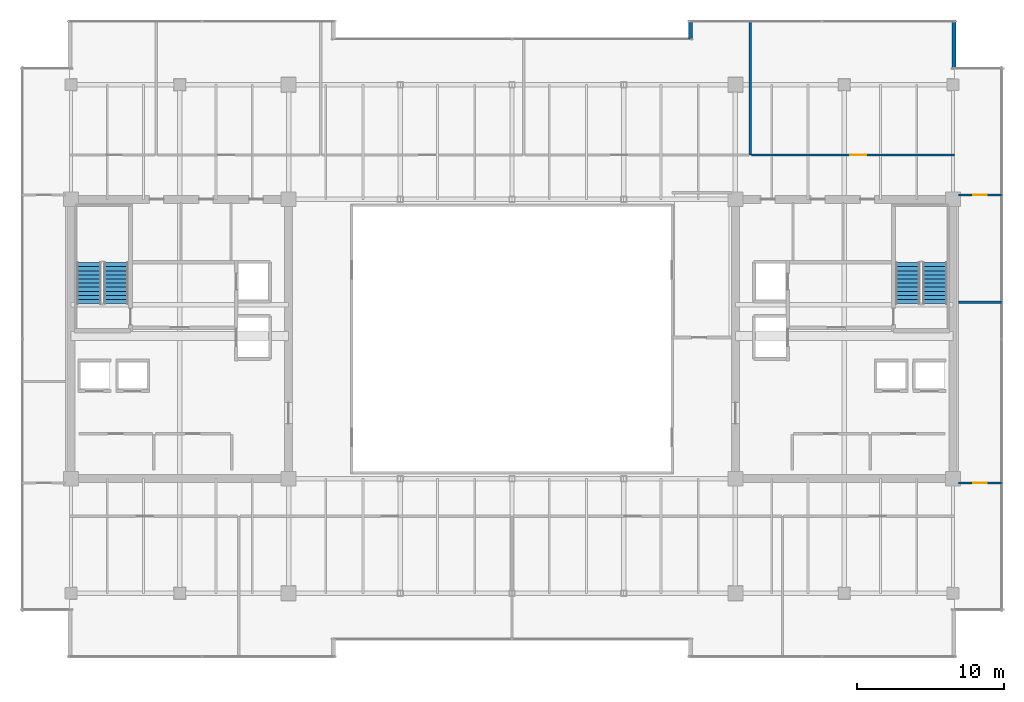
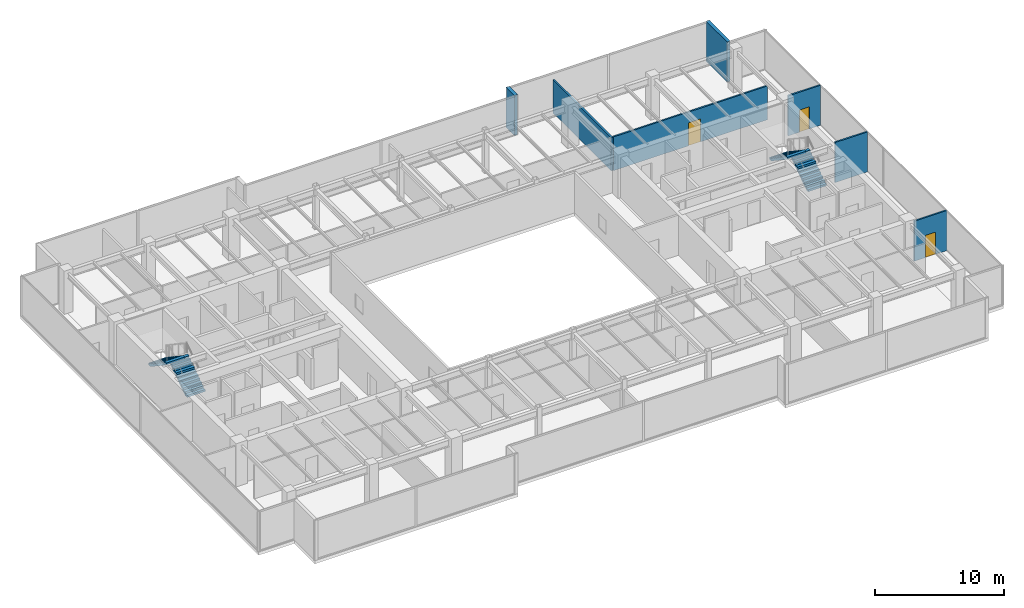
# One storey, part 31 of 36: 7 walls, 4 stair flights, 3 doors, 3 openings, 2 elements without a shape of their own.
"""IFC4 building model written with IfcOpenShell, lengths in metres."""

from ifc_helpers import new_model, si_unit, direction, frame, frame_2d, origin, place, context, subcontext, project, spatial, polyline, rectangle, outline, extrude, source, transform, mapped, material, layer, layer_set, type_object, type_shapes, element, fill, aggregate, save


model = new_model("IFC4")

# Units and contexts
model_context = context("Model", 3, precision=1e-05, world=origin(), true_north=direction((0.0, 1.0)))
body_context = subcontext(model_context, "Body", "Model", "MODEL_VIEW")
ifc_project = project(units=[si_unit("LENGTHUNIT", "METRE"), si_unit("AREAUNIT", "SQUARE_METRE"), si_unit("VOLUMEUNIT", "CUBIC_METRE"), si_unit("PLANEANGLEUNIT", "RADIAN"), si_unit("MASSUNIT", "GRAM", prefix="KILO")], contexts=[model_context])

# Site, building, storey
site_placement = place(None, origin())
site = spatial("IfcSite", under=ifc_project, at=site_placement, CompositionType="ELEMENT")
building_placement = place(site_placement, origin())
building = spatial("IfcBuilding", under=site, at=building_placement, Name="Haelvirn Gate Laboratories", CompositionType="ELEMENT")
storey_placement = place(building_placement, frame((0.0, 0.0, 254.699951171875)))
storey = spatial("IfcBuildingStorey", under=building, at=storey_placement, Name="L61", CompositionType="ELEMENT", Elevation=254.699951171875)

# Walls
ifc_material_1 = material(Name="Thermally-broken bronze aluminium rainscreen & mineral wool", Category="aluminium")
ifc_layer_1 = layer(ifc_material_1, 0.280029296875, Name="EW-TERR-280")
ifc_layer_set_1 = layer_set([ifc_layer_1], Name="Thermally-broken bronze aluminium rainscreen & mineral wool")
wall_type_1 = type_object("IfcWallType", Name="EW-TERR-280", PredefinedType="STANDARD", material=ifc_layer_set_1)
wall_1_placement = place(storey_placement, frame((67.4599609375, 42.7119140625, 0.0), z_axis=(0.0, 0.0, 1.0), x_axis=(0.0, 1.0, 0.0)))
element("IfcWall", 1, at=wall_1_placement, inside=storey, type_object=wall_type_1, Name="L61 Atrium Recess Bronze Return Wall 09", PredefinedType="STANDARD", context=body_context, shape_type="SweptSolid", body=[
    extrude(rectangle(XDim=3.2880859375, YDim=0.280029296875, at=frame_2d((1.64404296875, 0.0))), origin(), (0.0, 0.0, 1.0), 3.800048828125),
])
wall_2_placement = place(storey_placement, frame((49.5400390625, 46.0, 0.0), z_axis=(0.0, 0.0, 1.0), x_axis=(0.0, -1.0, 0.0)))
element("IfcWall", 2, at=wall_2_placement, inside=storey, type_object=wall_type_1, Name="L61 Atrium Recess Bronze Return Wall 11", PredefinedType="STANDARD", context=body_context, shape_type="SweptSolid", body=[
    extrude(rectangle(XDim=1.29296875, YDim=0.280029296875, at=frame_2d((0.646484375, 0.0))), origin(), (0.0, 0.0, 1.0), 3.800048828125),
])
ifc_material_2 = material(Name="Double-layer acoustic gypsum laboratory partition", Category="gypsum")
ifc_layer_2 = layer(ifc_material_2, 0.159912109375, Name="IW-ACOUST-160")
ifc_layer_set_2 = layer_set([ifc_layer_2], Name="Double-layer acoustic gypsum laboratory partition")
wall_type_2 = type_object("IfcWallType", Name="IW-ACOUST-160", PredefinedType="PARTITIONING", material=ifc_layer_set_2)
wall_3_placement = place(storey_placement, frame((53.60009765625, 36.81005859375, 0.0), z_axis=(0.0, 0.0, 1.0), x_axis=(0.0, 1.0, 0.0)))
element("IfcWall", 3, at=wall_3_placement, inside=storey, type_object=wall_type_2, Name="L61 Interior Wall IW-L61-NDIV-04", PredefinedType="PARTITIONING", context=body_context, shape_type="SweptSolid", body=[
    extrude(rectangle(XDim=9.079833984375, YDim=0.159912109375, at=frame_2d((4.5400390625, 0.0))), origin(), (0.0, 0.0, 1.0), 3.135009765625),
])

# Wall, opening, door
ifc_material_3 = material(Name="Acoustic mineral-wool gypsum board partition", Category="gypsum")
ifc_layer_3 = layer(ifc_material_3, 0.139892578125, Name="IW-PART-140")
ifc_layer_set_3 = layer_set([ifc_layer_3], Name="Acoustic mineral-wool gypsum board partition")
wall_type_3 = type_object("IfcWallType", Name="IW-PART-140", PredefinedType="PARTITIONING", material=ifc_layer_set_3)
wall_4_placement = place(storey_placement, frame((53.679931640625, 36.81005859375, 0.0), z_axis=(0.0, 0.0, 1.0), x_axis=(1.0, 0.0, 0.0)))
wall_4 = element("IfcWall", 4, at=wall_4_placement, inside=storey, type_object=wall_type_3, Name="L61 Interior Wall IW-L61-NCORR-05", PredefinedType="PARTITIONING", context=body_context, shape_type="SweptSolid", body=[
    extrude(rectangle(XDim=13.81005859375, YDim=0.139892578125, at=frame_2d((6.905029296875, 0.0))), origin(), (0.0, 0.0, 1.0), 3.197021484375),
])
opening_1_placement = place(wall_4_placement, frame((6.71533203125, 0.0, 0.0)))
opening_1 = element("IfcOpeningElement", 5, at=opening_1_placement, cuts=wall_4, Name="Opening D1", PredefinedType="OPENING", context=body_context, shape_type="SweptSolid", body=[
    extrude(rectangle(XDim=1.10009765625, YDim=2.179931640625, at=frame_2d((0.550048828125, 1.08984375))), frame((0.0, 0.080078125, 0.0), z_axis=(0.0, -1.0, 0.0), x_axis=(1.0, 0.0, 0.0)), (0.0, 0.0, 1.0), 0.159912109375),
])
ifc_material_4 = material(Name="Vision-panel acoustic solid-core timber lab door", Category="wood")
door_type_1 = type_object("IfcDoorType", Name="DR-LAB-1100", OperationType="NOTDEFINED", PredefinedType="DOOR", material=ifc_material_4)
shared_shape_1 = source(origin(), body_context, "Body", "SweptSolid", [
    extrude(rectangle(XDim=1.10009765625, YDim=2.179931640625, at=frame_2d((0.550048828125, 1.08984375))), frame((0.0, 0.02490234375, 0.0), z_axis=(0.0, -1.0, 0.0), x_axis=(1.0, 0.0, 0.0)), (0.0, 0.0, 1.0), 0.050048828125),
])
type_shapes(door_type_1, [shared_shape_1])
door_1_placement = place(opening_1_placement, origin())
door_1 = element("IfcDoor", 6, at=door_1_placement, inside=storey, type_object=door_type_1, Name="L61 Floor Hydration & Tea Servery Door N5", OperationType="SINGLE_SWING_LEFT", OverallHeight=2.179931640625, OverallWidth=1.10009765625, PredefinedType="DOOR", context=body_context, shape_type="MappedRepresentation", body=[
    mapped(shared_shape_1, transform((0.0, 0.0, 0.0), scale=1.0)),
])
fill(opening_1, door_1)

# Wall
wall_5_placement = place(storey_placement, frame((67.780029296875, 26.800048828125, 0.0), z_axis=(0.0, 0.0, 1.0), x_axis=(1.0, 0.0, 0.0)))
element("IfcWall", 7, at=wall_5_placement, inside=storey, type_object=wall_type_3, Name="L61 Interior Wall IW-L61-EZ3-MID", PredefinedType="PARTITIONING", context=body_context, shape_type="SweptSolid", body=[
    extrude(rectangle(XDim=2.909912109375, YDim=0.139892578125, at=frame_2d((1.455078125, 0.0))), origin(), (0.0, 0.0, 1.0), 3.800048828125),
])

# Wall, opening, door
wall_6_placement = place(storey_placement, frame((67.780029296875, 14.5048828125, 0.0), z_axis=(0.0, 0.0, 1.0), x_axis=(1.0, 0.0, 0.0)))
wall_6 = element("IfcWall", 8, at=wall_6_placement, inside=storey, type_object=wall_type_3, Name="L61 Interior Wall IW-L61-EZ3-ENT-S", PredefinedType="PARTITIONING", context=body_context, shape_type="SweptSolid", body=[
    extrude(rectangle(XDim=2.909912109375, YDim=0.139892578125, at=frame_2d((1.455078125, 0.0))), origin(), (0.0, 0.0, 1.0), 3.800048828125),
])
opening_2_placement = place(wall_6_placement, frame((1.0048828125, 0.0, 0.0)))
opening_2 = element("IfcOpeningElement", 9, at=opening_2_placement, cuts=wall_6, Name="Opening D4", PredefinedType="OPENING", context=body_context, shape_type="SweptSolid", body=[
    extrude(rectangle(XDim=0.89990234375, YDim=2.10009765625, at=frame_2d((0.449951171875, 1.050048828125))), frame((0.0, 0.080078125, 0.0), z_axis=(0.0, -1.0, 0.0), x_axis=(1.0, 0.0, 0.0)), (0.0, 0.0, 1.0), 0.159912109375),
])
ifc_material_5 = material(Name="Glazed aluminium-framed write-up door", Category="aluminium")
door_type_2 = type_object("IfcDoorType", Name="DR-OFF-900", OperationType="NOTDEFINED", PredefinedType="DOOR", material=ifc_material_5)
shared_shape_2 = source(origin(), body_context, "Body", "SweptSolid", [
    extrude(rectangle(XDim=0.89990234375, YDim=2.10009765625, at=frame_2d((0.449951171875, 1.050048828125))), frame((0.0, 0.02490234375, 0.0), z_axis=(0.0, -1.0, 0.0), x_axis=(1.0, 0.0, 0.0)), (0.0, 0.0, 1.0), 0.050048828125),
])
type_shapes(door_type_2, [shared_shape_2])
door_2_placement = place(opening_2_placement, origin())
door_2 = element("IfcDoor", 10, at=door_2_placement, inside=storey, type_object=door_type_2, Name="L61 Proteomics Mass-Spec Laboratory Door E-S", OperationType="SINGLE_SWING_LEFT", OverallHeight=2.10009765625, OverallWidth=0.89990234375, PredefinedType="DOOR", context=body_context, shape_type="MappedRepresentation", body=[
    mapped(shared_shape_2, transform((0.0, 0.0, 0.0), scale=1.0)),
])
fill(opening_2, door_2)

wall_7_placement = place(storey_placement, frame((67.780029296875, 34.094970703125, 0.0), z_axis=(0.0, 0.0, 1.0), x_axis=(1.0, 0.0, 0.0)))
wall_7 = element("IfcWall", 11, at=wall_7_placement, inside=storey, type_object=wall_type_3, Name="L61 Interior Wall IW-L61-EZ3-ENT-N", PredefinedType="PARTITIONING", context=body_context, shape_type="SweptSolid", body=[
    extrude(rectangle(XDim=2.909912109375, YDim=0.139892578125, at=frame_2d((1.455078125, 0.0))), origin(), (0.0, 0.0, 1.0), 3.800048828125),
])
opening_3_placement = place(wall_7_placement, frame((1.0048828125, 0.0, 0.0)))
opening_3 = element("IfcOpeningElement", 12, at=opening_3_placement, cuts=wall_7, Name="Opening D4", PredefinedType="OPENING", context=body_context, shape_type="SweptSolid", body=[
    extrude(rectangle(XDim=0.89990234375, YDim=2.10009765625, at=frame_2d((0.449951171875, 1.050048828125))), frame((0.0, 0.080078125, 0.0), z_axis=(0.0, -1.0, 0.0), x_axis=(1.0, 0.0, 0.0)), (0.0, 0.0, 1.0), 0.159912109375),
])
door_3_placement = place(opening_3_placement, origin())
door_3 = element("IfcDoor", 13, at=door_3_placement, inside=storey, type_object=door_type_2, Name="L61 Bioprocess Foundry Laboratory Door E-N", OperationType="SINGLE_SWING_RIGHT", OverallHeight=2.10009765625, OverallWidth=0.89990234375, PredefinedType="DOOR", context=body_context, shape_type="MappedRepresentation", body=[
    mapped(shared_shape_2, transform((0.0, 0.0, 0.0), scale=1.0)),
])
fill(opening_3, door_3)

# Stair, stair flights
ifc_material_6 = material(Name="Concrete C40/50", Category="concrete")
stair_type = type_object("IfcStairType", Name="ST-DOG-1650-R22", PredefinedType="HALF_TURN_STAIR", material=ifc_material_6)
stair_1_placement = place(storey_placement, origin())
stair_1 = element("IfcStair", 14, at=stair_1_placement, inside=storey, type_object=stair_type, Name="L61 Escape Stair ST1", PredefinedType="HALF_TURN_STAIR")
stair_flight_type = type_object("IfcStairFlightType", Name="STF-1650-R11", PredefinedType="STRAIGHT", material=ifc_material_6)
shared_shape_3 = source(origin(), body_context, "Body", "SweptSolid", [
    extrude(outline(polyline([(0.0, 0.0), (0.0, 0.186279296875), (0.280029296875, 0.186279296875), (0.280029296875, 0.372802734375), (0.56005859375, 0.372802734375), (0.56005859375, 0.55908203125), (0.840087890625, 0.55908203125), (0.840087890625, 0.745361328125), (1.1201171875, 0.745361328125), (1.1201171875, 0.931884765625), (1.39990234375, 0.931884765625), (1.39990234375, 1.1181640625), (1.679931640625, 1.1181640625), (1.679931640625, 1.304443359375), (1.9599609375, 1.304443359375), (1.9599609375, 1.490966796875), (2.239990234375, 1.490966796875), (2.239990234375, 1.67724609375), (2.52001953125, 1.67724609375), (2.52001953125, 1.863525390625), (2.800048828125, 1.863525390625), (2.800048828125, 2.050048828125), (2.800048828125, 1.671630859375), (0.28857421875, 0.0), (0.0, 0.0)])), frame((0.0, 0.824951171875, 0.0), z_axis=(0.0, -1.0, 0.0), x_axis=(1.0, 0.0, 0.0)), (0.0, 0.0, 1.0), 1.64990234375),
])
type_shapes(stair_flight_type, [shared_shape_3])
stair_flight_1_placement = place(storey_placement, frame((10.47509765625, 26.699951171875, 0.0), z_axis=(0.0, 0.0, 1.0), x_axis=(0.0, 1.0, 0.0)))
stair_flight_1 = element("IfcStairFlight", 15, at=stair_flight_1_placement, type_object=stair_flight_type, Name="ST1 flight 1", NumberOfRisers=11, NumberOfTreads=10, PredefinedType="STRAIGHT", RiserHeight=0.186363636, TreadLength=0.28, context=body_context, shape_type="MappedRepresentation", body=[
    mapped(shared_shape_3, transform((0.0, 0.0, 0.0), scale=1.0)),
])
stair_flight_2_placement = place(storey_placement, frame((8.625, 29.5, 2.050048828125), z_axis=(0.0, 0.0, 1.0), x_axis=(0.0, -1.0, 0.0)))
stair_flight_2 = element("IfcStairFlight", 16, at=stair_flight_2_placement, type_object=stair_flight_type, Name="ST1 flight 2", NumberOfRisers=11, NumberOfTreads=10, PredefinedType="STRAIGHT", RiserHeight=0.186363636, TreadLength=0.28, context=body_context, shape_type="MappedRepresentation", body=[
    mapped(shared_shape_3, transform((0.0, 0.0, 0.0), scale=1.0)),
])
aggregate(stair_1, [stair_flight_1, stair_flight_2])

stair_2_placement = place(storey_placement, origin())
stair_2 = element("IfcStair", 17, at=stair_2_placement, inside=storey, type_object=stair_type, Name="L61 Escape Stair ST2", PredefinedType="HALF_TURN_STAIR")
stair_flight_3_placement = place(storey_placement, frame((66.175048828125, 26.699951171875, 0.0), z_axis=(0.0, 0.0, 1.0), x_axis=(0.0, 1.0, 0.0)))
stair_flight_3 = element("IfcStairFlight", 18, at=stair_flight_3_placement, type_object=stair_flight_type, Name="ST2 flight 1", NumberOfRisers=11, NumberOfTreads=10, PredefinedType="STRAIGHT", RiserHeight=0.186363636, TreadLength=0.28, context=body_context, shape_type="MappedRepresentation", body=[
    mapped(shared_shape_3, transform((0.0, 0.0, 0.0), scale=1.0)),
])
stair_flight_4_placement = place(storey_placement, frame((64.324951171875, 29.5, 2.050048828125), z_axis=(0.0, 0.0, 1.0), x_axis=(0.0, -1.0, 0.0)))
stair_flight_4 = element("IfcStairFlight", 19, at=stair_flight_4_placement, type_object=stair_flight_type, Name="ST2 flight 2", NumberOfRisers=11, NumberOfTreads=10, PredefinedType="STRAIGHT", RiserHeight=0.186363636, TreadLength=0.28, context=body_context, shape_type="MappedRepresentation", body=[
    mapped(shared_shape_3, transform((0.0, 0.0, 0.0), scale=1.0)),
])
aggregate(stair_2, [stair_flight_3, stair_flight_4])

save(model, "model.ifc")
